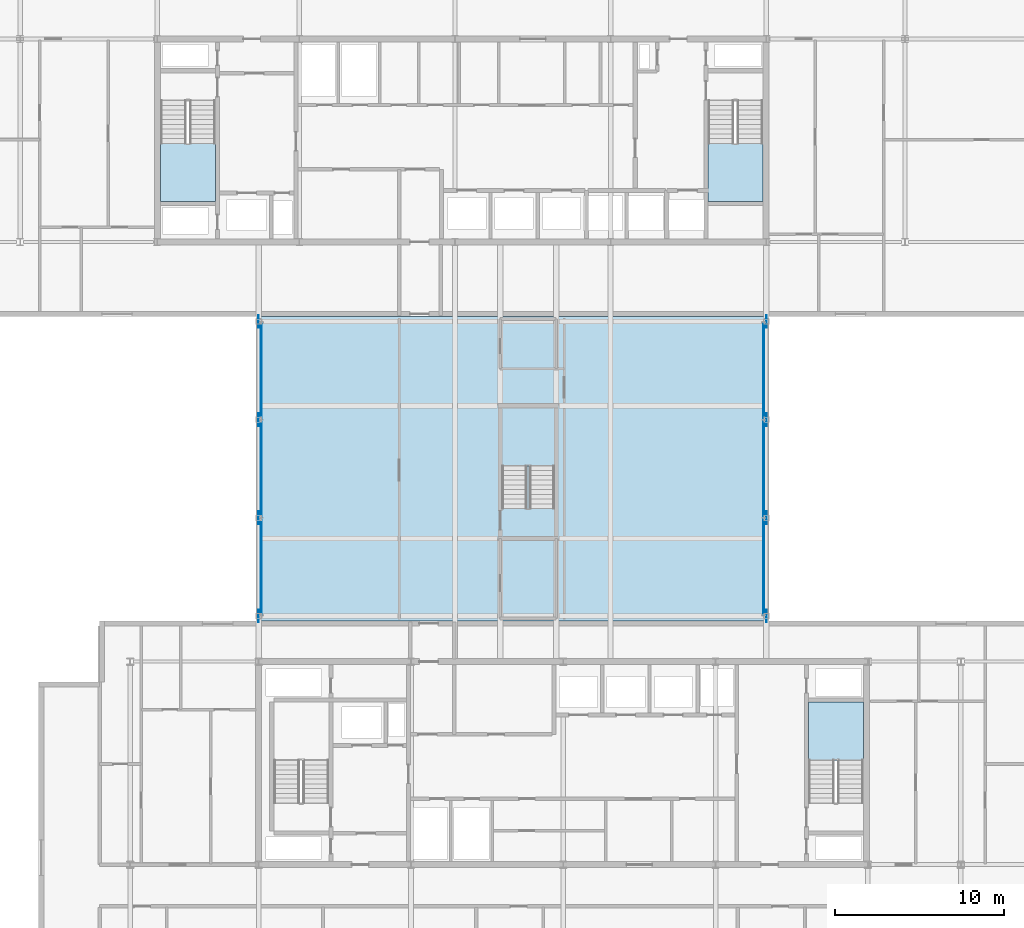
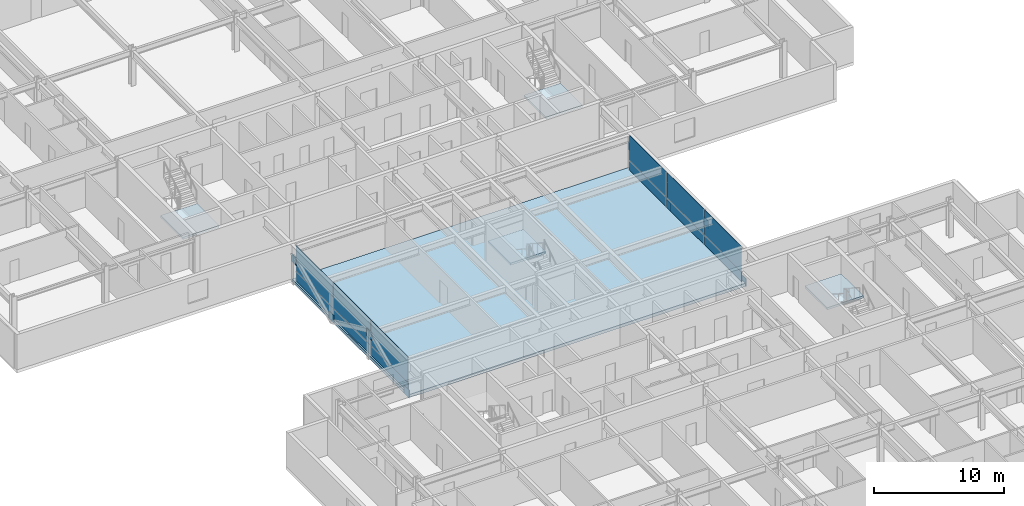
# One storey, part 15 of 36: 20 plates, 5 slabs, 6 elements without a shape of their own.
"""IFC4 building model written with IfcOpenShell, lengths in metres."""

from ifc_helpers import new_model, si_unit, direction, frame, origin, origin_2d, place, context, subcontext, project, spatial, polyline, rectangle, outline, extrude, material, layer, layer_set, type_object, element, aggregate, save


model = new_model("IFC4")

# Units and contexts
model_context = context("Model", 3, precision=1e-05, world=origin(), true_north=direction((0.0, 1.0)))
body_context = subcontext(model_context, "Body", "Model", "MODEL_VIEW")
ifc_project = project(units=[si_unit("LENGTHUNIT", "METRE"), si_unit("AREAUNIT", "SQUARE_METRE"), si_unit("VOLUMEUNIT", "CUBIC_METRE"), si_unit("PLANEANGLEUNIT", "RADIAN"), si_unit("MASSUNIT", "GRAM", prefix="KILO")], contexts=[model_context])

# Site, building, storey
site_placement = place(None, origin())
site = spatial("IfcSite", under=ifc_project, at=site_placement, CompositionType="ELEMENT")
building_placement = place(site_placement, origin())
building = spatial("IfcBuilding", under=site, at=building_placement, Name="Korimba Cascade Residences", CompositionType="ELEMENT")
storey_placement = place(building_placement, frame((0.0, 0.0, 139.300048828125)))
storey = spatial("IfcBuildingStorey", under=building, at=storey_placement, Name="L40", CompositionType="ELEMENT", Elevation=139.300048828125)

# Curtain wall, plates
ifc_material_1 = material(Name="Anodised Aluminium Curtain Wall Framing", Category="aluminium")
ifc_layer_1 = layer(ifc_material_1, 0.179931640625)
ifc_layer_set_1 = layer_set([ifc_layer_1], Name="Anodised Aluminium Curtain Wall Framing")
curtain_wall_type = type_object("IfcCurtainWallType", Name="CW-BRG-SYS3", PredefinedType="NOTDEFINED", material=ifc_layer_set_1)
curtain_wall_1_placement = place(storey_placement, origin())
curtain_wall_1 = element("IfcCurtainWall", 1, at=curtain_wall_1_placement, inside=storey, type_object=curtain_wall_type, Name="L40 Curtain Wall CW-L40-BRG-W", PredefinedType="NOTDEFINED")
ifc_material_2 = material(Name="Insulated Stone-Tone Spandrel Panel", Category="masonry")
ifc_layer_2 = layer(ifc_material_2, 0.0400390625)
ifc_layer_set_2 = layer_set([ifc_layer_2], Name="Insulated Stone-Tone Spandrel Panel")
plate_type_1 = type_object("IfcPlateType", Name="CWP-SPN-40", PredefinedType="USERDEFINED", material=ifc_layer_set_2)
plate_1_placement = place(storey_placement, frame((82.25, 36.02001953125, 0.0), z_axis=(0.0, 0.0, 1.0), x_axis=(0.0, 1.0, 0.0)))
plate_1 = element("IfcPlate", 2, at=plate_1_placement, type_object=plate_type_1, Name="CW-L40-BRG-W Spandrel Panel 1", ObjectType="SPANDREL", PredefinedType="USERDEFINED", context=body_context, shape_type="SweptSolid", body=[
    extrude(rectangle(XDim=5.7099609375, YDim=0.0400390625, at=origin_2d()), origin(), (0.0, 0.0, 1.0), 0.89990234375),
])
plate_2_placement = place(storey_placement, frame((82.25, 41.800048828125, 0.0), z_axis=(0.0, 0.0, 1.0), x_axis=(0.0, 1.0, 0.0)))
plate_2 = element("IfcPlate", 3, at=plate_2_placement, type_object=plate_type_1, Name="CW-L40-BRG-W Spandrel Panel 2", ObjectType="SPANDREL", PredefinedType="USERDEFINED", context=body_context, shape_type="SweptSolid", body=[
    extrude(rectangle(XDim=5.75, YDim=0.0400390625, at=origin_2d()), origin(), (0.0, 0.0, 1.0), 0.89990234375),
])
plate_3_placement = place(storey_placement, frame((82.25, 47.580078125, 0.0), z_axis=(0.0, 0.0, 1.0), x_axis=(0.0, 1.0, 0.0)))
plate_3 = element("IfcPlate", 4, at=plate_3_placement, type_object=plate_type_1, Name="CW-L40-BRG-W Spandrel Panel 3", ObjectType="SPANDREL", PredefinedType="USERDEFINED", context=body_context, shape_type="SweptSolid", body=[
    extrude(rectangle(XDim=5.7099609375, YDim=0.0400390625, at=origin_2d()), origin(), (0.0, 0.0, 1.0), 0.89990234375),
])

curtain_wall_2_placement = place(storey_placement, origin())
curtain_wall_2 = element("IfcCurtainWall", 5, at=curtain_wall_2_placement, inside=storey, type_object=curtain_wall_type, Name="L40 Curtain Wall CW-L40-BRG-E", PredefinedType="NOTDEFINED")
plate_4_placement = place(storey_placement, frame((111.949951171875, 36.02001953125, 0.0), z_axis=(0.0, 0.0, 1.0), x_axis=(0.0, 1.0, 0.0)))
plate_4 = element("IfcPlate", 6, at=plate_4_placement, type_object=plate_type_1, Name="CW-L40-BRG-E Spandrel Panel 1", ObjectType="SPANDREL", PredefinedType="USERDEFINED", context=body_context, shape_type="SweptSolid", body=[
    extrude(rectangle(XDim=5.7099609375, YDim=0.0400390625, at=origin_2d()), origin(), (0.0, 0.0, 1.0), 0.89990234375),
])
plate_5_placement = place(storey_placement, frame((111.949951171875, 41.800048828125, 0.0), z_axis=(0.0, 0.0, 1.0), x_axis=(0.0, 1.0, 0.0)))
plate_5 = element("IfcPlate", 7, at=plate_5_placement, type_object=plate_type_1, Name="CW-L40-BRG-E Spandrel Panel 2", ObjectType="SPANDREL", PredefinedType="USERDEFINED", context=body_context, shape_type="SweptSolid", body=[
    extrude(rectangle(XDim=5.75, YDim=0.0400390625, at=origin_2d()), origin(), (0.0, 0.0, 1.0), 0.89990234375),
])
plate_6_placement = place(storey_placement, frame((111.949951171875, 47.580078125, 0.0), z_axis=(0.0, 0.0, 1.0), x_axis=(0.0, 1.0, 0.0)))
plate_6 = element("IfcPlate", 8, at=plate_6_placement, type_object=plate_type_1, Name="CW-L40-BRG-E Spandrel Panel 3", ObjectType="SPANDREL", PredefinedType="USERDEFINED", context=body_context, shape_type="SweptSolid", body=[
    extrude(rectangle(XDim=5.7099609375, YDim=0.0400390625, at=origin_2d()), origin(), (0.0, 0.0, 1.0), 0.89990234375),
])

# Plate
ifc_material_3 = material(Name="Low-E Double Glazing Unit", Category="glass")
ifc_layer_3 = layer(ifc_material_3, 0.028076171875)
ifc_layer_set_3 = layer_set([ifc_layer_3], Name="Low-E Double Glazing Unit")
plate_type_2 = type_object("IfcPlateType", Name="CWP-VIS-28", PredefinedType="CURTAIN_PANEL", material=ifc_layer_set_3)
plate_7_placement = place(storey_placement, frame((82.25, 36.02001953125, 0.89990234375), z_axis=(0.0, 0.0, 1.0), x_axis=(0.0, 1.0, 0.0)))
plate_7 = element("IfcPlate", 9, at=plate_7_placement, type_object=plate_type_2, Name="CW-L40-BRG-W Vision Glass Panel 1", PredefinedType="CURTAIN_PANEL", context=body_context, shape_type="SweptSolid", body=[
    extrude(rectangle(XDim=5.7099609375, YDim=0.028076171875, at=origin_2d()), origin(), (0.0, 0.0, 1.0), 2.409912109375),
])

plate_8_placement = place(storey_placement, frame((82.25, 41.800048828125, 0.89990234375), z_axis=(0.0, 0.0, 1.0), x_axis=(0.0, 1.0, 0.0)))
plate_8 = element("IfcPlate", 10, at=plate_8_placement, type_object=plate_type_2, Name="CW-L40-BRG-W Vision Glass Panel 2", PredefinedType="CURTAIN_PANEL", context=body_context, shape_type="SweptSolid", body=[
    extrude(rectangle(XDim=5.75, YDim=0.028076171875, at=origin_2d()), origin(), (0.0, 0.0, 1.0), 2.409912109375),
])

plate_9_placement = place(storey_placement, frame((82.25, 47.580078125, 0.89990234375), z_axis=(0.0, 0.0, 1.0), x_axis=(0.0, 1.0, 0.0)))
plate_9 = element("IfcPlate", 11, at=plate_9_placement, type_object=plate_type_2, Name="CW-L40-BRG-W Vision Glass Panel 3", PredefinedType="CURTAIN_PANEL", context=body_context, shape_type="SweptSolid", body=[
    extrude(rectangle(XDim=5.7099609375, YDim=0.028076171875, at=origin_2d()), origin(), (0.0, 0.0, 1.0), 2.409912109375),
])

aggregate(curtain_wall_1, [plate_1, plate_7, plate_2, plate_8, plate_3, plate_9])

plate_10_placement = place(storey_placement, frame((111.949951171875, 36.02001953125, 0.89990234375), z_axis=(0.0, 0.0, 1.0), x_axis=(0.0, 1.0, 0.0)))
plate_10 = element("IfcPlate", 12, at=plate_10_placement, type_object=plate_type_2, Name="CW-L40-BRG-E Vision Glass Panel 1", PredefinedType="CURTAIN_PANEL", context=body_context, shape_type="SweptSolid", body=[
    extrude(rectangle(XDim=5.7099609375, YDim=0.028076171875, at=origin_2d()), origin(), (0.0, 0.0, 1.0), 2.409912109375),
])

plate_11_placement = place(storey_placement, frame((111.949951171875, 41.800048828125, 0.89990234375), z_axis=(0.0, 0.0, 1.0), x_axis=(0.0, 1.0, 0.0)))
plate_11 = element("IfcPlate", 13, at=plate_11_placement, type_object=plate_type_2, Name="CW-L40-BRG-E Vision Glass Panel 2", PredefinedType="CURTAIN_PANEL", context=body_context, shape_type="SweptSolid", body=[
    extrude(rectangle(XDim=5.75, YDim=0.028076171875, at=origin_2d()), origin(), (0.0, 0.0, 1.0), 2.409912109375),
])

plate_12_placement = place(storey_placement, frame((111.949951171875, 47.580078125, 0.89990234375), z_axis=(0.0, 0.0, 1.0), x_axis=(0.0, 1.0, 0.0)))
plate_12 = element("IfcPlate", 14, at=plate_12_placement, type_object=plate_type_2, Name="CW-L40-BRG-E Vision Glass Panel 3", PredefinedType="CURTAIN_PANEL", context=body_context, shape_type="SweptSolid", body=[
    extrude(rectangle(XDim=5.7099609375, YDim=0.028076171875, at=origin_2d()), origin(), (0.0, 0.0, 1.0), 2.409912109375),
])

aggregate(curtain_wall_2, [plate_4, plate_10, plate_5, plate_11, plate_6, plate_12])

# Plates
ifc_material_4 = material(Name="Steel S460", Category="steel")
ifc_layer_4 = layer(ifc_material_4, 0.031982421875)
ifc_layer_set_4 = layer_set([ifc_layer_4], Name="Steel S460")
plate_type_3 = type_object("IfcPlateType", Name="PLT-GUSSET-32", PredefinedType="USERDEFINED", material=ifc_layer_set_4)
for number, where, z_axis, x_axis, name in (
    (15, (82.10009765625, 33.10009765625, -0.28515625), (0.0, 0.0, 1.0), (1.0, 0.0, 0.0), "L40 Warren Truss Node Gusset Plate MBN1 W1"),
    (16, (82.10009765625, 38.89990234375, 1.62841796875), (0.0, 0.0, 1.0), (1.0, 0.0, 0.0), "L40 Warren Truss Node Gusset Plate MBN1 W2"),
    (17, (82.10009765625, 44.699951171875, -0.28515625), (0.0, 0.0, 1.0), (1.0, 0.0, 0.0), "L40 Warren Truss Node Gusset Plate MBN1 W3"),
    (18, (82.10009765625, 50.5, 1.62841796875), (0.0, 0.0, 1.0), (1.0, 0.0, 0.0), "L40 Warren Truss Node Gusset Plate MBN1 W4"),
    (19, (112.10009765625, 33.10009765625, -0.28515625), (0.0, 0.0, 1.0), (1.0, 0.0, 0.0), "L40 Warren Truss Node Gusset Plate MBN1 E1"),
    (20, (112.10009765625, 38.89990234375, 1.62841796875), (0.0, 0.0, 1.0), (1.0, 0.0, 0.0), "L40 Warren Truss Node Gusset Plate MBN1 E2"),
    (21, (112.10009765625, 44.699951171875, -0.28515625), (0.0, 0.0, 1.0), (1.0, 0.0, 0.0), "L40 Warren Truss Node Gusset Plate MBN1 E3"),
    (22, (112.10009765625, 50.5, 1.62841796875), (0.0, 0.0, 1.0), (1.0, 0.0, 0.0), "L40 Warren Truss Node Gusset Plate MBN1 E4"),
):
    element("IfcPlate", number, at=place(storey_placement, frame(where, z_axis=z_axis, x_axis=x_axis)), inside=storey, type_object=plate_type_3, Name=name, ObjectType="GUSSET PLATE", PredefinedType="USERDEFINED", context=body_context, shape_type="SweptSolid", body=[
        extrude(rectangle(XDim=0.031982421875, YDim=0.75, at=origin_2d()), origin(), (0.0, 0.0, 1.0), 0.75),
    ])

# Slab
ifc_material_5 = material(Name="Concrete C65/80", Category="concrete")
ifc_layer_5 = layer(ifc_material_5, 0.2900390625)
ifc_layer_set_5 = layer_set([ifc_layer_5], Name="Concrete C65/80")
slab_type_1 = type_object("IfcSlabType", Name="SLB-BRG-310", PredefinedType="FLOOR", material=ifc_layer_set_5)
slab_1_placement = place(storey_placement, frame((0.0, 0.0, -0.2900390625)))
element("IfcSlab", 23, at=slab_1_placement, inside=storey, type_object=slab_type_1, Name="L40 Mid-Bridge Floor Slab", PredefinedType="FLOOR", context=body_context, shape_type="SweptSolid", body=[
    extrude(outline(polyline([(82.10009765625, 32.800048828125), (112.10009765625, 32.800048828125), (112.10009765625, 50.800048828125), (82.10009765625, 50.800048828125), (82.10009765625, 32.800048828125)])), origin(), (0.0, 0.0, 1.0), 0.2900390625),
])

# Stair, slab
ifc_material_6 = material(Name="Concrete C50/60", Category="concrete")
stair_type_1 = type_object("IfcStairType", Name="STR-W1-20R-1800", PredefinedType="HALF_TURN_STAIR", material=ifc_material_6)
stair_1_placement = place(storey_placement, origin())
stair_1 = element("IfcStair", 24, at=stair_1_placement, inside=storey, type_object=stair_type_1, Name="L40 Tower 1 West Fire Stair ST-W1", PredefinedType="HALF_TURN_STAIR")
ifc_layer_6 = layer(ifc_material_6, 0.199951171875)
ifc_layer_set_6 = layer_set([ifc_layer_6], Name="Concrete C50/60")
slab_type_2 = type_object("IfcSlabType", Name="SLB-LND-220", PredefinedType="LANDING", material=ifc_layer_set_6)
slab_2_placement = place(storey_placement, frame((0.0, 0.0, 1.599853515625)))
slab_2 = element("IfcSlab", 25, at=slab_2_placement, type_object=slab_type_2, Name="ST-W1 landing 1", PredefinedType="LANDING", context=body_context, shape_type="SweptSolid", body=[
    extrude(outline(polyline([(76.300048828125, 61.030029296875), (76.300048828125, 57.60009765625), (79.5400390625, 57.60009765625), (79.5400390625, 61.030029296875), (76.300048828125, 61.030029296875)])), origin(), (0.0, 0.0, 1.0), 0.2001953125),
])
aggregate(stair_1, [slab_2])

stair_type_2 = type_object("IfcStairType", Name="STR-W2-20R-1800", PredefinedType="HALF_TURN_STAIR", material=ifc_material_6)
stair_2_placement = place(storey_placement, origin())
stair_2 = element("IfcStair", 26, at=stair_2_placement, inside=storey, type_object=stair_type_2, Name="L40 Tower 1 East Fire Stair ST-W2", PredefinedType="HALF_TURN_STAIR")
slab_3_placement = place(storey_placement, frame((0.0, 0.0, 1.599853515625)))
slab_3 = element("IfcSlab", 27, at=slab_3_placement, type_object=slab_type_2, Name="ST-W2 landing 1", PredefinedType="LANDING", context=body_context, shape_type="SweptSolid", body=[
    extrude(outline(polyline([(108.659912109375, 61.030029296875), (108.659912109375, 57.60009765625), (111.89990234375, 57.60009765625), (111.89990234375, 61.030029296875), (108.659912109375, 61.030029296875)])), origin(), (0.0, 0.0, 1.0), 0.2001953125),
])
aggregate(stair_2, [slab_3])

stair_type_3 = type_object("IfcStairType", Name="STR-E2-20R-1800", PredefinedType="HALF_TURN_STAIR", material=ifc_material_6)
stair_3_placement = place(storey_placement, origin())
stair_3 = element("IfcStair", 28, at=stair_3_placement, inside=storey, type_object=stair_type_3, Name="L40 Tower 2 East Fire Stair ST-E2", PredefinedType="HALF_TURN_STAIR")
slab_4_placement = place(storey_placement, frame((0.0, 0.0, 1.599853515625)))
slab_4 = element("IfcSlab", 29, at=slab_4_placement, type_object=slab_type_2, Name="ST-E2 landing 1", PredefinedType="LANDING", context=body_context, shape_type="SweptSolid", body=[
    extrude(outline(polyline([(117.840087890625, 24.570068359375), (117.840087890625, 28.0), (114.60009765625, 28.0), (114.60009765625, 24.570068359375), (117.840087890625, 24.570068359375)])), origin(), (0.0, 0.0, 1.0), 0.2001953125),
])
aggregate(stair_3, [slab_4])

stair_type_4 = type_object("IfcStairType", Name="STR-BR1-20R-1800", PredefinedType="HALF_TURN_STAIR", material=ifc_material_6)
stair_4_placement = place(storey_placement, origin())
stair_4 = element("IfcStair", 30, at=stair_4_placement, inside=storey, type_object=stair_type_4, Name="L40 Mid-Bridge Feature Stair ST-BR1", PredefinedType="HALF_TURN_STAIR")
slab_5_placement = place(storey_placement, frame((0.0, 0.0, 1.599853515625)))
slab_5 = element("IfcSlab", 31, at=slab_5_placement, type_object=slab_type_2, Name="ST-BR1 landing 1", PredefinedType="LANDING", context=body_context, shape_type="SweptSolid", body=[
    extrude(outline(polyline([(96.4619140625, 41.969970703125), (99.597900390625, 41.969970703125), (99.597900390625, 45.43798828125), (96.4619140625, 45.43798828125), (96.4619140625, 41.969970703125)])), origin(), (0.0, 0.0, 1.0), 0.2001953125),
])
aggregate(stair_4, [slab_5])

save(model, "model.ifc")
